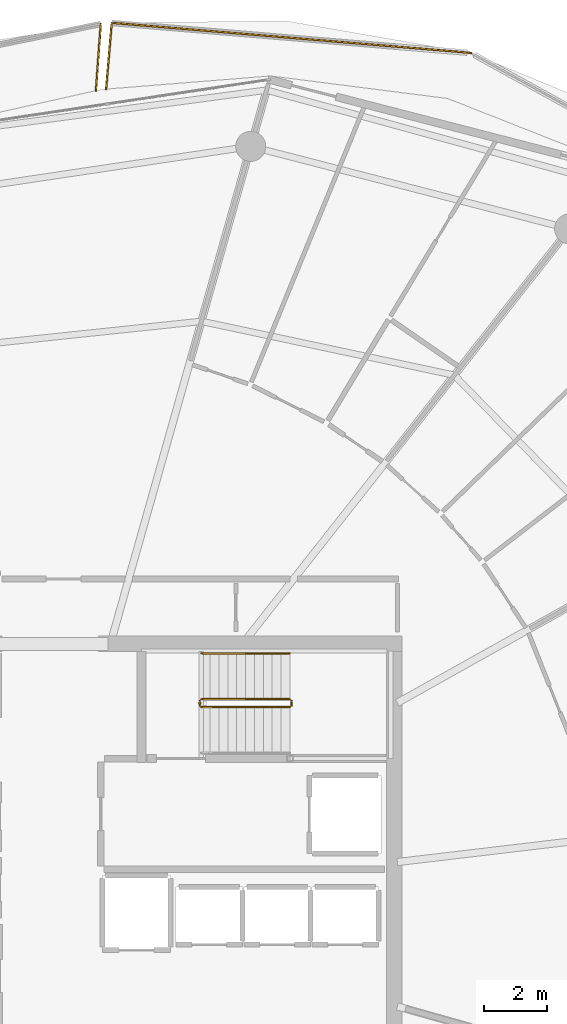
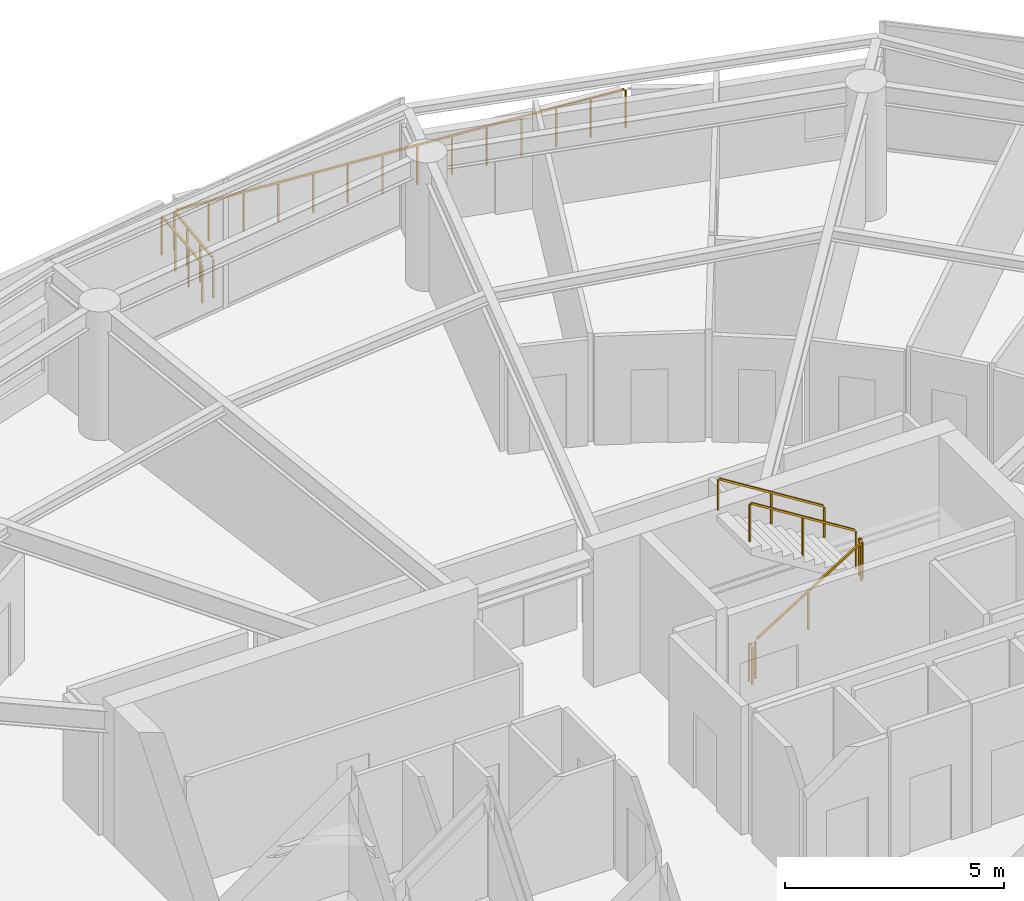
# One storey, part 30 of 31: 8 railings.
"""IFC4 building model written with IfcOpenShell, lengths in metres."""

from ifc_helpers import new_model, si_unit, direction, frame, origin, origin_2d, place, context, subcontext, project, spatial, rectangle, extrude, material, type_object, element, save


model = new_model("IFC4")

# Units and contexts
model_context = context("Model", 3, precision=1e-05, world=origin(), true_north=direction((0.0, 1.0)))
body_context = subcontext(model_context, "Body", "Model", "MODEL_VIEW")
ifc_project = project(units=[si_unit("LENGTHUNIT", "METRE"), si_unit("AREAUNIT", "SQUARE_METRE"), si_unit("VOLUMEUNIT", "CUBIC_METRE"), si_unit("PLANEANGLEUNIT", "RADIAN"), si_unit("MASSUNIT", "GRAM", prefix="KILO")], contexts=[model_context])

# Site, building, storey
site_placement = place(None, origin())
site = spatial("IfcSite", under=ifc_project, at=site_placement, CompositionType="ELEMENT")
building_placement = place(site_placement, origin())
building = spatial("IfcBuilding", under=site, at=building_placement, Name="Kazma Halo Residences", CompositionType="ELEMENT")
storey_placement = place(building_placement, frame((0.0, 0.0, 275.199951171875)))
storey = spatial("IfcBuildingStorey", under=building, at=storey_placement, Name="L69", CompositionType="ELEMENT", Elevation=275.199951171875)

# Railings
ifc_material_1 = material(Name="Aluminium AW-6063 T6 Brushed Cap Rail", Category="aluminium")
railing_type_1 = type_object("IfcRailingType", Name="RLG-BAL-CAP-1120", PredefinedType="BALUSTRADE", material=ifc_material_1)
railing_1_placement = place(storey_placement, frame((61.72509765625, 68.936767578125, 0.0)))
element("IfcRailing", 1, at=railing_1_placement, inside=storey, type_object=railing_type_1, Name="L69 NE wave balcony guard 3", PredefinedType="BALUSTRADE", context=body_context, shape_type="SweptSolid", body=[
    extrude(rectangle(XDim=0.050048828125, YDim=0.050048828125, at=origin_2d()), frame((-0.04248046875, 0.003662109375, 1.09521484375), z_axis=(-0.996515855772, 0.08340353227, 0.0), x_axis=(-0.08340353227, -0.996515855772, 0.0)), (0.0, 0.0, 1.0), 11.3134765625),
    extrude(rectangle(XDim=0.0400390625, YDim=0.0400390625, at=origin_2d()), origin(), (0.0, 0.0, 1.0), 1.05810546875),
    extrude(rectangle(XDim=0.0400390625, YDim=0.0400390625, at=origin_2d()), frame((-0.873779296875, 0.0732421875, 0.0)), (0.0, 0.0, 1.0), 1.05810546875),
    extrude(rectangle(XDim=0.0400390625, YDim=0.0400390625, at=origin_2d()), frame((-1.74755859375, 0.146240234375, 0.0)), (0.0, 0.0, 1.0), 1.05810546875),
    extrude(rectangle(XDim=0.0400390625, YDim=0.0400390625, at=origin_2d()), frame((-2.621337890625, 0.219482421875, 0.0)), (0.0, 0.0, 1.0), 1.05810546875),
    extrude(rectangle(XDim=0.0400390625, YDim=0.0400390625, at=origin_2d()), frame((-3.4951171875, 0.29248046875, 0.0)), (0.0, 0.0, 1.0), 1.05810546875),
    extrude(rectangle(XDim=0.0400390625, YDim=0.0400390625, at=origin_2d()), frame((-4.368896484375, 0.36572265625, 0.0)), (0.0, 0.0, 1.0), 1.05810546875),
    extrude(rectangle(XDim=0.0400390625, YDim=0.0400390625, at=origin_2d()), frame((-5.24267578125, 0.438720703125, 0.0)), (0.0, 0.0, 1.0), 1.05810546875),
    extrude(rectangle(XDim=0.0400390625, YDim=0.0400390625, at=origin_2d()), frame((-6.1162109375, 0.511962890625, 0.0)), (0.0, 0.0, 1.0), 1.05810546875),
    extrude(rectangle(XDim=0.0400390625, YDim=0.0400390625, at=origin_2d()), frame((-6.989990234375, 0.5849609375, 0.0)), (0.0, 0.0, 1.0), 1.05810546875),
    extrude(rectangle(XDim=0.0400390625, YDim=0.0400390625, at=origin_2d()), frame((-7.86376953125, 0.658203125, 0.0)), (0.0, 0.0, 1.0), 1.05810546875),
    extrude(rectangle(XDim=0.0400390625, YDim=0.0400390625, at=origin_2d()), frame((-8.737548828125, 0.731201171875, 0.0)), (0.0, 0.0, 1.0), 1.05810546875),
    extrude(rectangle(XDim=0.0400390625, YDim=0.0400390625, at=origin_2d()), frame((-9.611328125, 0.804443359375, 0.0)), (0.0, 0.0, 1.0), 1.05810546875),
    extrude(rectangle(XDim=0.0400390625, YDim=0.0400390625, at=origin_2d()), frame((-10.485107421875, 0.87744140625, 0.0)), (0.0, 0.0, 1.0), 1.05810546875),
    extrude(rectangle(XDim=0.0400390625, YDim=0.0400390625, at=origin_2d()), frame((-11.35888671875, 0.95068359375, 0.0)), (0.0, 0.0, 1.0), 1.05810546875),
])
railing_2_placement = place(storey_placement, frame((50.3662109375, 69.887451171875, 0.0)))
element("IfcRailing", 2, at=railing_2_placement, inside=storey, type_object=railing_type_1, Name="L69 NE wave balcony guard 4", PredefinedType="BALUSTRADE", context=body_context, shape_type="SweptSolid", body=[
    extrude(rectangle(XDim=0.050048828125, YDim=0.050048828125, at=origin_2d()), frame((-0.003662109375, -0.04248046875, 1.09521484375), z_axis=(-0.084488057574, -0.996424491935, 0.0), x_axis=(0.996424491935, -0.084488057574, 0.0)), (0.0, 0.0, 1.0), 2.015625),
    extrude(rectangle(XDim=0.0400390625, YDim=0.0400390625, at=origin_2d()), origin(), (0.0, 0.0, 1.0), 1.05810546875),
    extrude(rectangle(XDim=0.0400390625, YDim=0.0400390625, at=origin_2d()), frame((-0.05908203125, -0.69775390625, 0.0)), (0.0, 0.0, 1.0), 1.05810546875),
    extrude(rectangle(XDim=0.0400390625, YDim=0.0400390625, at=origin_2d()), frame((-0.118408203125, -1.3955078125, 0.0)), (0.0, 0.0, 1.0), 1.05810546875),
    extrude(rectangle(XDim=0.0400390625, YDim=0.0400390625, at=origin_2d()), frame((-0.177490234375, -2.09326171875, 0.0)), (0.0, 0.0, 1.0), 1.05810546875),
])
railing_3_placement = place(storey_placement, frame((49.8681640625, 67.74609375, 0.0)))
element("IfcRailing", 3, at=railing_3_placement, inside=storey, type_object=railing_type_1, Name="L69 NNW wave balcony guard 1", PredefinedType="BALUSTRADE", context=body_context, shape_type="SweptSolid", body=[
    extrude(rectangle(XDim=0.050048828125, YDim=0.050048828125, at=origin_2d()), frame((0.003173828125, 0.04248046875, 1.09521484375), z_axis=(0.072264274911, 0.997385519532, 0.0), x_axis=(-0.997385519532, 0.072264274911, 0.0)), (0.0, 0.0, 1.0), 2.02978515625),
    extrude(rectangle(XDim=0.0400390625, YDim=0.0400390625, at=origin_2d()), origin(), (0.0, 0.0, 1.0), 1.05810546875),
    extrude(rectangle(XDim=0.0400390625, YDim=0.0400390625, at=origin_2d()), frame((0.051025390625, 0.703125, 0.0)), (0.0, 0.0, 1.0), 1.05810546875),
    extrude(rectangle(XDim=0.0400390625, YDim=0.0400390625, at=origin_2d()), frame((0.101806640625, 1.40625, 0.0)), (0.0, 0.0, 1.0), 1.05810546875),
    extrude(rectangle(XDim=0.0400390625, YDim=0.0400390625, at=origin_2d()), frame((0.15283203125, 2.109375, 0.0)), (0.0, 0.0, 1.0), 1.05810546875),
])
ifc_material_2 = material(Name="Painted Steel S355", Category="steel")
railing_type_2 = type_object("IfcRailingType", Name="RLG-STAIR-GRD-1100", PredefinedType="GUARDRAIL", material=ifc_material_2)
railing_4_placement = place(storey_placement, frame((53.199951171875, 48.25, 0.175048828125)))
element("IfcRailing", 4, at=railing_4_placement, inside=storey, type_object=railing_type_2, Name="L69 ST-02 stair guard 1", PredefinedType="GUARDRAIL", context=body_context, shape_type="SweptSolid", body=[
    extrude(rectangle(XDim=0.050048828125, YDim=0.050048828125, at=origin_2d()), frame((0.0361328125, 0.0, 1.09765625), z_axis=(0.848002457836, 0.0, 0.529992293815), x_axis=(0.0, 1.0, 0.0)), (0.0, 0.0, 1.0), 3.216796875),
    extrude(rectangle(XDim=0.0400390625, YDim=0.0400390625, at=origin_2d()), origin(), (0.0, 0.0, 1.0), 1.0380859375),
    extrude(rectangle(XDim=0.0400390625, YDim=0.0400390625, at=origin_2d()), frame((1.39990234375, 0.0, 0.875)), (0.0, 0.0, 1.0), 1.0380859375),
    extrude(rectangle(XDim=0.0400390625, YDim=0.0400390625, at=origin_2d()), frame((2.800048828125, 0.0, 1.75)), (0.0, 0.0, 1.0), 1.0380859375),
])
railing_5_placement = place(storey_placement, frame((56.050048828125, 48.300048828125, 1.925048828125)))
element("IfcRailing", 5, at=railing_5_placement, inside=storey, type_object=railing_type_2, Name="L69 ST-02 stair guard 2", PredefinedType="GUARDRAIL", context=body_context, shape_type="SweptSolid", body=[
    extrude(rectangle(XDim=0.050048828125, YDim=0.050048828125, at=origin_2d()), frame((0.0, 0.04248046875, 1.0751953125), z_axis=(0.0, 1.0, 0.0), x_axis=(-1.0, 0.0, 0.0)), (0.0, 0.0, 1.0), 0.06494140625),
    extrude(rectangle(XDim=0.0400390625, YDim=0.0400390625, at=origin_2d()), origin(), (0.0, 0.0, 1.0), 1.0380859375),
    extrude(rectangle(XDim=0.0400390625, YDim=0.0400390625, at=origin_2d()), frame((0.0, 0.14990234375, 0.0)), (0.0, 0.0, 1.0), 1.0380859375),
])
railing_6_placement = place(storey_placement, frame((56.0, 48.5, 2.10009765625)))
element("IfcRailing", 6, at=railing_6_placement, inside=storey, type_object=railing_type_2, Name="L69 ST-02 stair guard 3", PredefinedType="GUARDRAIL", context=body_context, shape_type="SweptSolid", body=[
    extrude(rectangle(XDim=0.050048828125, YDim=0.050048828125, at=origin_2d()), frame((-0.0361328125, 0.0, 1.09765625), z_axis=(-0.848002457836, 0.0, 0.529992293815), x_axis=(0.0, -1.0, 0.0)), (0.0, 0.0, 1.0), 3.216796875),
    extrude(rectangle(XDim=0.0400390625, YDim=0.0400390625, at=origin_2d()), origin(), (0.0, 0.0, 1.0), 1.0380859375),
    extrude(rectangle(XDim=0.0400390625, YDim=0.0400390625, at=origin_2d()), frame((-1.39990234375, 0.0, 0.875)), (0.0, 0.0, 1.0), 1.0380859375),
    extrude(rectangle(XDim=0.0400390625, YDim=0.0400390625, at=origin_2d()), frame((-2.800048828125, 0.0, 1.75)), (0.0, 0.0, 1.0), 1.0380859375),
])
railing_7_placement = place(storey_placement, frame((53.14990234375, 48.300048828125, 0.0)))
element("IfcRailing", 7, at=railing_7_placement, inside=storey, type_object=railing_type_2, Name="L69 ST-02 stair guard 4", PredefinedType="GUARDRAIL", context=body_context, shape_type="SweptSolid", body=[
    extrude(rectangle(XDim=0.050048828125, YDim=0.050048828125, at=origin_2d()), frame((0.0, 0.04248046875, 1.0751953125), z_axis=(0.0, 1.0, 0.0), x_axis=(-1.0, 0.0, 0.0)), (0.0, 0.0, 1.0), 0.06494140625),
    extrude(rectangle(XDim=0.0400390625, YDim=0.0400390625, at=origin_2d()), origin(), (0.0, 0.0, 1.0), 1.0380859375),
    extrude(rectangle(XDim=0.0400390625, YDim=0.0400390625, at=origin_2d()), frame((0.0, 0.14990234375, 0.0)), (0.0, 0.0, 1.0), 1.0380859375),
])
ifc_material_3 = material(Name="Brushed Stainless Steel", Category="steel")
railing_type_3 = type_object("IfcRailingType", Name="RLG-STAIR-HND-900", PredefinedType="HANDRAIL", material=ifc_material_3)
railing_8_placement = place(storey_placement, frame((56.0, 49.949951171875, 2.10009765625)))
element("IfcRailing", 8, at=railing_8_placement, inside=storey, type_object=railing_type_3, Name="L69 ST-02 stair handrail 2", PredefinedType="HANDRAIL", context=body_context, shape_type="SweptSolid", body=[
    extrude(rectangle(XDim=0.050048828125, YDim=0.050048828125, at=origin_2d()), frame((-0.0361328125, 0.0, 0.8974609375), z_axis=(-0.848002457836, 0.0, 0.529992293815), x_axis=(0.0, -1.0, 0.0)), (0.0, 0.0, 1.0), 3.216796875),
    extrude(rectangle(XDim=0.0400390625, YDim=0.0400390625, at=origin_2d()), origin(), (0.0, 0.0, 1.0), 0.837890625),
    extrude(rectangle(XDim=0.0400390625, YDim=0.0400390625, at=origin_2d()), frame((-1.39990234375, 0.0, 0.875)), (0.0, 0.0, 1.0), 0.837890625),
    extrude(rectangle(XDim=0.0400390625, YDim=0.0400390625, at=origin_2d()), frame((-2.800048828125, 0.0, 1.75)), (0.0, 0.0, 1.0), 0.837890625),
])

save(model, "model.ifc")
